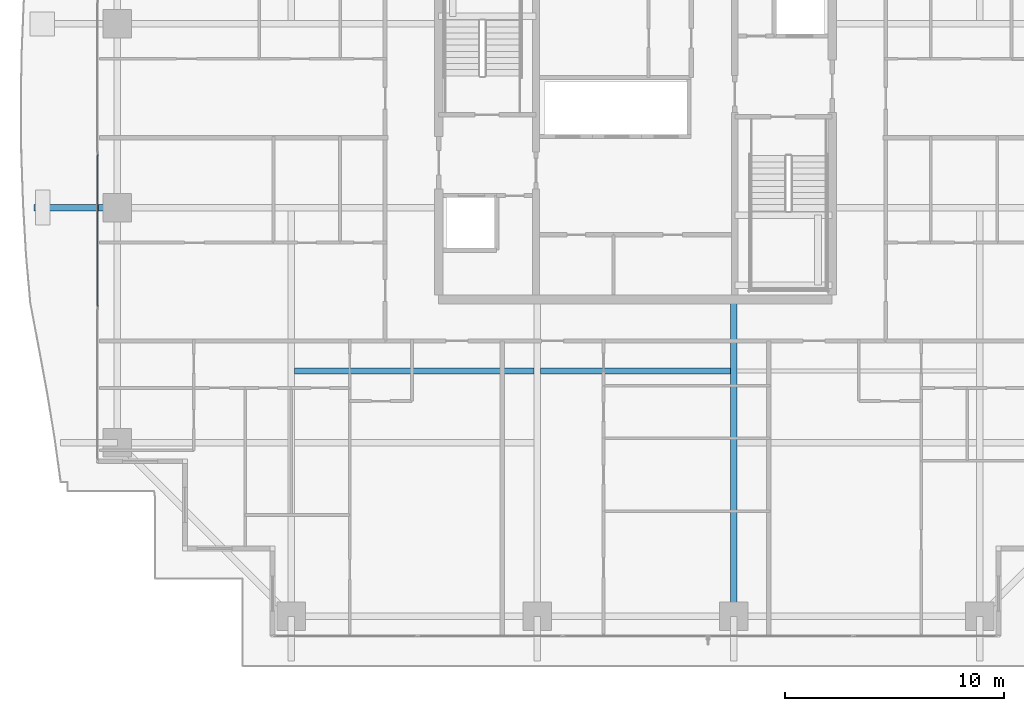
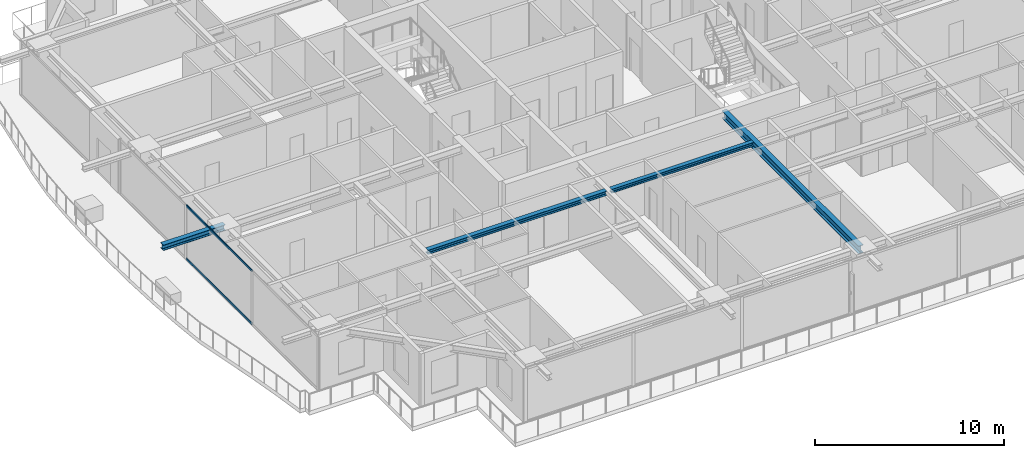
# One storey, part 7 of 39: 4 beams, 2 members, 1 element without a shape of its own.
"""IFC4 building model written with IfcOpenShell, lengths in metres."""

from ifc_helpers import new_model, si_unit, direction, frame, origin, origin_2d, place, context, subcontext, project, spatial, hollow_rectangle, i_section, extrude, source, transform, mapped, material, layer, layer_set, material_profile, profile_set, type_object, element, aggregate, save


model = new_model("IFC4")

# Units and contexts
model_context = context("Model", 3, precision=1e-05, world=origin(), true_north=direction((0.0, 1.0)))
body_context = subcontext(model_context, "Body", "Model", "MODEL_VIEW")
ifc_project = project(units=[si_unit("LENGTHUNIT", "METRE"), si_unit("AREAUNIT", "SQUARE_METRE"), si_unit("VOLUMEUNIT", "CUBIC_METRE"), si_unit("PLANEANGLEUNIT", "RADIAN"), si_unit("MASSUNIT", "GRAM", prefix="KILO")], contexts=[model_context])

# Site, building, storey
site_placement = place(None, origin())
site = spatial("IfcSite", under=ifc_project, at=site_placement, CompositionType="ELEMENT")
building_placement = place(site_placement, origin())
building = spatial("IfcBuilding", under=site, at=building_placement, Name="Serunith Strait Residences", CompositionType="ELEMENT")
storey_placement = place(building_placement, frame((0.0, 0.0, 123.89990234375)))
storey = spatial("IfcBuildingStorey", under=building, at=storey_placement, Name="L30", CompositionType="ELEMENT", Elevation=123.89990234375)

# Beams
ifc_material_1 = material(Name="Steel S355J2", Category="steel")
ifc_material_profile_1 = material_profile(ifc_material_1, i_section(OverallWidth=0.260009765625, OverallDepth=0.260009765625, WebThickness=0.010009765625, FlangeThickness=0.017578125, FilletRadius=0.02392578125, at=origin_2d()), Name="HEB 260")
ifc_profile_set_1 = profile_set([ifc_material_profile_1], Name="Steel S355J2")
beam_type_1 = type_object("IfcBeamType", Name="BM-HEB260", PredefinedType="JOIST", material=ifc_profile_set_1)
shared_shape_1 = source(origin(), body_context, "Body", "SweptSolid", [
    extrude(i_section(OverallWidth=0.260009765625, OverallDepth=0.260009765625, WebThickness=0.010009765625, FlangeThickness=0.017578125, FilletRadius=0.02392578125, at=origin_2d()), origin(), (0.0, 0.0, 1.0), 8.699951171875),
])
beam_1_placement = place(storey_placement, frame((28.050048828125, 13.52490234375, 3.357177734375), z_axis=(1.0, 0.0, 0.0), x_axis=(0.0, 1.0, 0.0)))
element("IfcBeam", 1, at=beam_1_placement, inside=storey, type_object=beam_type_1, Name="L30 Composite Floor Joist 02", PredefinedType="JOIST", context=body_context, shape_type="MappedRepresentation", body=[
    mapped(shared_shape_1, transform((0.0, 0.0, 0.0), scale=1.0)),
])
ifc_material_profile_2 = material_profile(ifc_material_1, i_section(OverallWidth=0.300048828125, OverallDepth=0.5, WebThickness=0.014404296875, FlangeThickness=0.028076171875, FilletRadius=0.027099609375, at=origin_2d()), Name="HEB 500")
ifc_profile_set_2 = profile_set([ifc_material_profile_2], Name="Steel S355J2")
beam_type_2 = type_object("IfcBeamType", Name="BM-HEB500", PredefinedType="BEAM", material=ifc_profile_set_2)
shared_shape_2 = source(origin(), body_context, "Body", "SweptSolid", [
    extrude(i_section(OverallWidth=0.300048828125, OverallDepth=0.5, WebThickness=0.014404296875, FlangeThickness=0.028076171875, FilletRadius=0.027099609375, at=origin_2d()), origin(), (0.0, 0.0, 1.0), 14.5),
])
beam_2_placement = place(storey_placement, frame((36.89990234375, 16.800048828125, 3.237060546875), z_axis=(0.0, -1.0, 0.0), x_axis=(1.0, 0.0, 0.0)))
element("IfcBeam", 2, at=beam_2_placement, inside=storey, type_object=beam_type_2, Name="L30 Primary Floor Girder TC-S3", PredefinedType="BEAM", context=body_context, shape_type="MappedRepresentation", body=[
    mapped(shared_shape_2, transform((0.0, 0.0, 0.0), scale=1.0)),
])
ifc_material_profile_3 = material_profile(ifc_material_1, i_section(OverallWidth=0.280029296875, OverallDepth=0.280029296875, WebThickness=0.010498046875, FlangeThickness=0.01806640625, FilletRadius=0.02392578125, at=origin_2d()), Name="HEB 280")
ifc_profile_set_3 = profile_set([ifc_material_profile_3], Name="Steel S355J2")
beam_type_3 = type_object("IfcBeamType", Name="BM-HEB280", PredefinedType="JOIST", material=ifc_profile_set_3)
shared_shape_3 = source(origin(), body_context, "Body", "SweptSolid", [
    extrude(i_section(OverallWidth=0.280029296875, OverallDepth=0.280029296875, WebThickness=0.010498046875, FlangeThickness=0.01806640625, FilletRadius=0.02392578125, at=origin_2d()), origin(), (0.0, 0.0, 1.0), 10.949951171875),
])
beam_3_placement = place(storey_placement, frame((16.800048828125, 13.52490234375, 3.34716796875), z_axis=(1.0, 0.0, 0.0), x_axis=(0.0, 1.0, 0.0)))
element("IfcBeam", 3, at=beam_3_placement, inside=storey, type_object=beam_type_3, Name="L30 Composite Floor Joist 01", PredefinedType="JOIST", context=body_context, shape_type="MappedRepresentation", body=[
    mapped(shared_shape_3, transform((0.0, 0.0, 0.0), scale=1.0)),
])
ifc_material_profile_4 = material_profile(ifc_material_1, i_section(OverallWidth=0.300048828125, OverallDepth=0.360107421875, WebThickness=0.012451171875, FlangeThickness=0.0224609375, FilletRadius=0.027099609375, at=origin_2d()), Name="HEB 360")
ifc_profile_set_4 = profile_set([ifc_material_profile_4], Name="Steel S355J2")
beam_type_4 = type_object("IfcBeamType", Name="BM-HEB360", PredefinedType="BEAM", material=ifc_profile_set_4)
shared_shape_4 = source(origin(), body_context, "Body", "SweptSolid", [
    extrude(i_section(OverallWidth=0.300048828125, OverallDepth=0.360107421875, WebThickness=0.012451171875, FlangeThickness=0.0224609375, FilletRadius=0.027099609375, at=origin_2d()), origin(), (0.0, 0.0, 1.0), 3.800048828125),
])
beam_4_placement = place(storey_placement, frame((8.699951171875, 21.0, 3.277099609375), z_axis=(-1.0, 0.0, 0.0), x_axis=(0.0, -1.0, 0.0)))
element("IfcBeam", 4, at=beam_4_placement, inside=storey, type_object=beam_type_4, Name="L31 Cantilevered Balcony Rib TC-W2", PredefinedType="BEAM", context=body_context, shape_type="MappedRepresentation", body=[
    mapped(shared_shape_4, transform((0.0, 0.0, 0.0), scale=1.0)),
])

# Curtain wall, members
ifc_material_2 = material(Name="Pale-Champagne Anodised Aluminium", Category="aluminium")
ifc_layer = layer(ifc_material_2, 0.199951171875, Name="Pale-Champagne Anodised Aluminium")
ifc_layer_set = layer_set([ifc_layer], Name="Pale-Champagne Anodised Aluminium")
curtain_wall_type = type_object("IfcCurtainWallType", Name="CW-SYS2", PredefinedType="NOTDEFINED", material=ifc_layer_set)
curtain_wall_placement = place(storey_placement, origin())
curtain_wall = element("IfcCurtainWall", 5, at=curtain_wall_placement, inside=storey, type_object=curtain_wall_type, Name="L30 W Unitised Fritted Curtain Wall", PredefinedType="NOTDEFINED")
ifc_material_profile_5 = material_profile(ifc_material_2, hollow_rectangle(XDim=0.06005859375, YDim=0.139892578125, WallThickness=0.00341796875, InnerFilletRadius=0.00537109375, OuterFilletRadius=0.0087890625, at=origin_2d()), Name="ALU 140x60x3.5")
ifc_profile_set_5 = profile_set([ifc_material_profile_5], Name="Pale-Champagne Anodised Aluminium")
member_type = type_object("IfcMemberType", Name="CW-SYS2-TRAN", PredefinedType="USERDEFINED", material=ifc_profile_set_5)
shared_shape_5 = source(origin(), body_context, "Body", "SweptSolid", [
    extrude(hollow_rectangle(XDim=0.06005859375, YDim=0.139892578125, WallThickness=0.00341796875, InnerFilletRadius=0.00537109375, OuterFilletRadius=0.0087890625, at=origin_2d()), origin(), (0.0, 0.0, 1.0), 6.96337890625),
])
member_1_placement = place(storey_placement, frame((7.800048828125, 23.431640625, 0.030029296875), z_axis=(0.0, -1.0, 0.0), x_axis=(1.0, 0.0, 0.0)))
member_1 = element("IfcMember", 6, at=member_1_placement, type_object=member_type, Name="CW-2 transom 2.1", ObjectType="TRANSOM", PredefinedType="USERDEFINED", context=body_context, shape_type="MappedRepresentation", body=[
    mapped(shared_shape_5, transform((0.0, 0.0, 0.0), scale=1.0)),
])
member_2_placement = place(storey_placement, frame((7.800048828125, 23.431640625, 3.445068359375), z_axis=(0.0, -1.0, 0.0), x_axis=(1.0, 0.0, 0.0)))
member_2 = element("IfcMember", 7, at=member_2_placement, type_object=member_type, Name="CW-2 transom 2.2", ObjectType="TRANSOM", PredefinedType="USERDEFINED", context=body_context, shape_type="MappedRepresentation", body=[
    mapped(shared_shape_5, transform((0.0, 0.0, 0.0), scale=1.0)),
])
aggregate(curtain_wall, [member_1, member_2])

save(model, "model.ifc")
